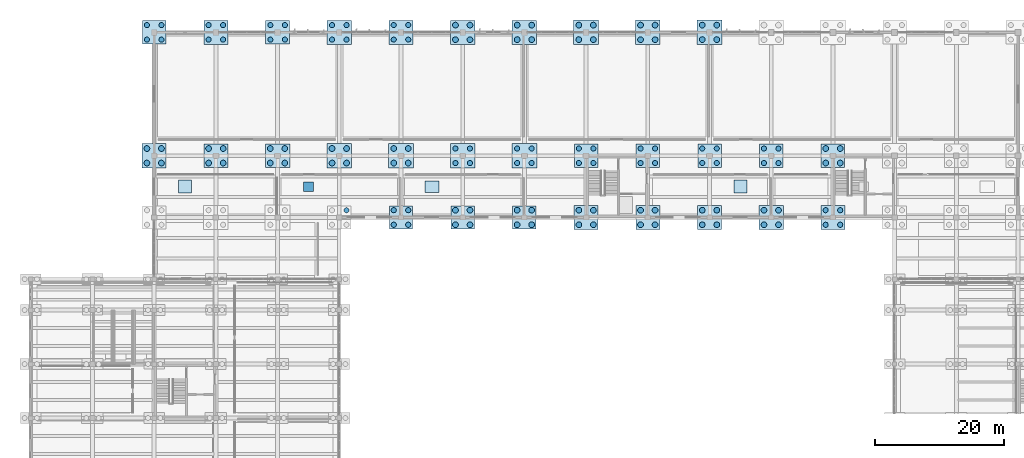
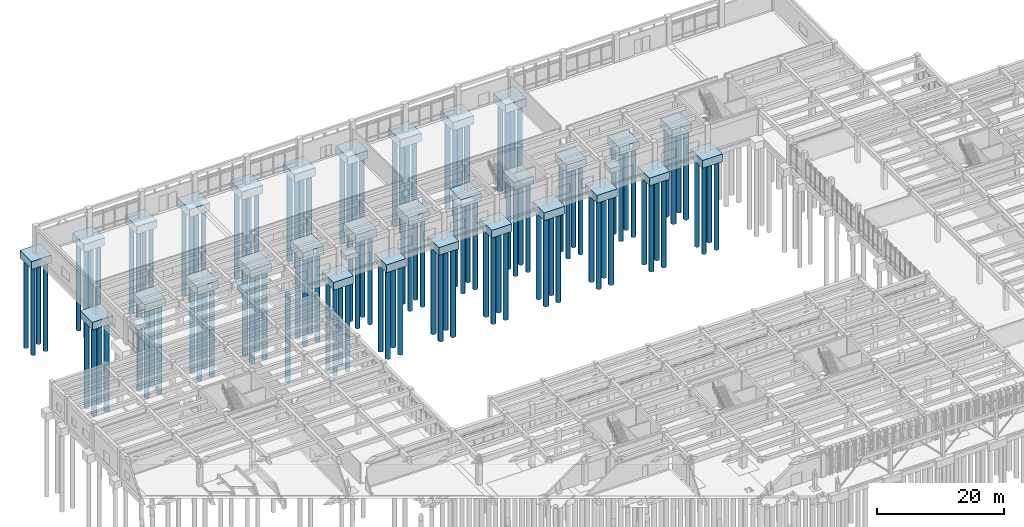
# One storey, part 5 of 102: 121 piles, 34 footings.
"""IFC4 building model written with IfcOpenShell, lengths in metres."""

import ifcopenshell
import ifcopenshell.guid

model = None  # the IFC model being written
_history = None  # IfcOwnerHistory: only IFC2X3 demands one
_inside = {}  # id of a spatial element -> (the spatial element, [elements in it])
_under = {}  # id of a project, library or spatial element -> (it, [spatial elements below it])
_declared = {}  # id of a project -> (the project, [libraries it declares])
_typed = {}  # id of a type object -> (the type object, [elements of that type])
_made_of = {}  # id of a material, layer set ... -> (it, [elements and type objects made of it])


def new_model(schema):
    """Start an empty IFC model of exactly this schema.

    Asked for "IFC4X3", IfcOpenShell would pick the latest addendum, in which some entities
    have other attributes; the version numbers below select the first issue.
    IFC2X3 requires an IfcOwnerHistory on every rooted entity: one is made here for all.
    """
    global model, _history
    if schema == "IFC4X3":
        model = ifcopenshell.file(schema_version=(4, 3, 0, 0))
    else:
        model = ifcopenshell.file(schema=schema)
    _inside.clear()
    _under.clear()
    _declared.clear()
    _typed.clear()
    _made_of.clear()
    _history = None
    if model.schema == "IFC2X3":
        org = make("IfcOrganization", Name="unknown")
        user = make(
            "IfcPersonAndOrganization",
            ThePerson=make("IfcPerson", FamilyName="unknown"),
            TheOrganization=org,
        )
        app = make(
            "IfcApplication",
            ApplicationDeveloper=org,
            Version="unknown",
            ApplicationFullName="unknown",
            ApplicationIdentifier="unknown",
        )
        _history = make(
            "IfcOwnerHistory",
            OwningUser=user,
            OwningApplication=app,
            ChangeAction="ADDED",
            CreationDate=0,
        )
    return model


def make(cls, **values):
    """One entity of the class cls with the attributes given. An attribute that is None is left unset."""
    return model.create_entity(
        cls, **{name: value for name, value in values.items() if value is not None}
    )


def rooted(cls, **values):
    """An entity with a GlobalId (a new one), such as an element, a storey or a relation."""
    return make(cls, GlobalId=ifcopenshell.guid.new(), OwnerHistory=_history, **values)


def si_unit(unit_type, name, prefix=None):
    """IfcSIUnit, for example si_unit("LENGTHUNIT", "METRE", prefix="MILLI")."""
    return make("IfcSIUnit", UnitType=unit_type, Prefix=prefix, Name=name)


def assignment(units):
    """IfcUnitAssignment: the units of a project."""
    return None if units is None else make("IfcUnitAssignment", Units=units)


def point(xyz):
    """IfcCartesianPoint."""
    return None if xyz is None else make("IfcCartesianPoint", Coordinates=xyz)


def direction(xyz):
    """IfcDirection."""
    return None if xyz is None else make("IfcDirection", DirectionRatios=xyz)


def frame(location, z_axis=None, x_axis=None):
    """IfcAxis2Placement3D, a coordinate frame: its origin and axes. An axis left out is left unset."""
    return make(
        "IfcAxis2Placement3D",
        Location=point(location),
        Axis=direction(z_axis),
        RefDirection=direction(x_axis),
    )


def frame_2d(location, x_axis=None):
    """IfcAxis2Placement2D, a coordinate frame in the plane: its origin and x axis."""
    return make(
        "IfcAxis2Placement2D", Location=point(location), RefDirection=direction(x_axis)
    )


def origin():
    """The frame at (0, 0, 0) with its axes left unset."""
    return frame((0.0, 0.0, 0.0))


def origin_2d():
    """The frame at (0, 0) in the plane with its x axis left unset."""
    return frame_2d((0.0, 0.0))


def place(relative_to, where):
    """IfcLocalPlacement: puts the frame where relative to a parent placement (None: the world)."""
    return make(
        "IfcLocalPlacement", PlacementRelTo=relative_to, RelativePlacement=where
    )


def context(
    kind, dimensions, precision=None, world=None, true_north=None, identifier=None
):
    """IfcGeometricRepresentationContext, for example the 3D "Model" context."""
    return make(
        "IfcGeometricRepresentationContext",
        ContextIdentifier=identifier,
        ContextType=kind,
        CoordinateSpaceDimension=dimensions,
        Precision=precision,
        WorldCoordinateSystem=world,
        TrueNorth=true_north,
    )


def subcontext(parent, identifier, kind, view, scale=None):
    """IfcGeometricRepresentationSubContext, for example "Body" below "Model"."""
    return make(
        "IfcGeometricRepresentationSubContext",
        ContextIdentifier=identifier,
        ContextType=kind,
        ParentContext=parent,
        TargetScale=scale,
        TargetView=view,
    )


def project(units=None, contexts=None):
    """IfcProject with its units and contexts."""
    return rooted(
        "IfcProject",
        Name="project",
        RepresentationContexts=contexts,
        UnitsInContext=assignment(units),
    )


def spatial(cls, under=None, at=None, **own):
    """A site, building, storey or space (cls), placed at a placement, below another one or the project."""
    s = rooted(cls, ObjectPlacement=at, **own)
    if under is not None:
        _under.setdefault(under.id(), (under, []))[1].append(s)
    return s


def profile(cls, at=None, kind="AREA", **sizes):
    """A parametric profile (cls). Its sizes go by their IFC names, for example OverallWidth=200.0."""
    return make(cls, ProfileType=kind, Position=at, **sizes)


def rectangle(**sizes):
    """IfcRectangleProfileDef."""
    return profile("IfcRectangleProfileDef", **sizes)


def circle(**sizes):
    """IfcCircleProfileDef."""
    return profile("IfcCircleProfileDef", **sizes)


def extrude(swept, where, along, depth):
    """IfcExtrudedAreaSolid: the profile swept, set in the frame where, extruded along a direction by depth."""
    return make(
        "IfcExtrudedAreaSolid",
        SweptArea=swept,
        Position=where,
        ExtrudedDirection=direction(along),
        Depth=depth,
    )


def shape(context_of_items, identifier, shape_type, items):
    """IfcShapeRepresentation: the items that make up one representation, for example the "Body"."""
    return make(
        "IfcShapeRepresentation",
        ContextOfItems=context_of_items,
        RepresentationIdentifier=identifier,
        RepresentationType=shape_type,
        Items=items,
    )


def material(Name=None, Category=None):
    """IfcMaterial."""
    return make("IfcMaterial", Name=Name, Category=Category)


def material_profile(
    of_material, cross_section, Name=None, Category=None, Priority=None
):
    """IfcMaterialProfile: a cross section and its material."""
    return make(
        "IfcMaterialProfile",
        Name=Name,
        Material=of_material,
        Profile=cross_section,
        Priority=Priority,
        Category=Category,
    )


def profile_set(profiles, Name=None, composite=None):
    """IfcMaterialProfileSet."""
    return make(
        "IfcMaterialProfileSet",
        Name=Name,
        MaterialProfiles=profiles,
        CompositeProfile=composite,
    )


def made_of(thing, what):
    """Note that an element or type object is made of a material, layer set ...; save() writes the relation."""
    if what is not None:
        _made_of.setdefault(what.id(), (what, []))[1].append(thing)
    return thing


def type_object(cls, material=None, **own):
    """A type object (cls), such as IfcWallType, which elements share."""
    return made_of(rooted(cls, **own), material)


def element(
    cls,
    number,
    at=None,
    inside=None,
    cuts=None,
    type_object=None,
    material=None,
    context=None,
    identifier="Body",
    shape_type=None,
    held_by="IfcProductDefinitionShape",
    body=None,
    shapes=None,
    **own,
):
    """One element of the class cls, such as IfcWall. Its Tag is "e" and its number.

    at: its placement. inside: the storey or other place that contains it. cuts: it is an
    opening in that element (IfcRelVoidsElement). A single representation is given by context,
    identifier, shape_type and body (its items); several are given by shapes. held_by: the class
    of the entity that holds the representations. save() writes the other relations.
    """
    e = rooted(cls, Tag="e%d" % number, ObjectPlacement=at, **own)
    if body is not None:
        shapes = [shape(context, identifier, shape_type, body)]
    if shapes is not None:
        e.Representation = make(held_by, Representations=shapes)
    if inside is not None:
        _inside.setdefault(inside.id(), (inside, []))[1].append(e)
    if cuts is not None:
        rooted(
            "IfcRelVoidsElement", RelatingBuildingElement=cuts, RelatedOpeningElement=e
        )
    if type_object is not None:
        _typed.setdefault(type_object.id(), (type_object, []))[1].append(e)
    return made_of(e, material)


def aggregate(whole, parts):
    """IfcRelAggregates: a whole, such as a stair, and the parts it consists of."""
    return rooted("IfcRelAggregates", RelatingObject=whole, RelatedObjects=parts)


def save(model, path):
    """Write the relations noted so far, then the file.

    IfcRelAggregates (storeys below a building ...), IfcRelContainedInSpatialStructure (elements
    in a storey), IfcRelDefinesByType, IfcRelAssociatesMaterial and IfcRelDeclares: one each for
    every whole, place, type object, material and project.
    """
    for whole, parts in _under.values():
        aggregate(whole, parts)
    for where, things in _inside.values():
        rooted(
            "IfcRelContainedInSpatialStructure",
            RelatedElements=things,
            RelatingStructure=where,
        )
    for kind, things in _typed.values():
        rooted("IfcRelDefinesByType", RelatedObjects=things, RelatingType=kind)
    for what, things in _made_of.values():
        rooted("IfcRelAssociatesMaterial", RelatedObjects=things, RelatingMaterial=what)
    for by, libraries in _declared.values():
        rooted("IfcRelDeclares", RelatingContext=by, RelatedDefinitions=libraries)
    model.write(path)


model = new_model("IFC4")

# Units and contexts
model_context = context("Model", 3, precision=1e-05, world=origin(), true_north=direction((0.0, 1.0)))
body_context = subcontext(model_context, "Body", "Model", "MODEL_VIEW")
ifc_project = project(units=[si_unit("LENGTHUNIT", "METRE"), si_unit("AREAUNIT", "SQUARE_METRE"), si_unit("VOLUMEUNIT", "CUBIC_METRE"), si_unit("PLANEANGLEUNIT", "RADIAN"), si_unit("MASSUNIT", "GRAM", prefix="KILO")], contexts=[model_context])

# Site, building, storey
site_placement = place(None, origin())
site = spatial("IfcSite", under=ifc_project, at=site_placement, CompositionType="ELEMENT")
building_placement = place(site_placement, origin())
building = spatial("IfcBuilding", under=site, at=building_placement, Name="Kolvemor Railside Polytechnic", CompositionType="ELEMENT")
storey_placement = place(building_placement, origin())
storey = spatial("IfcBuildingStorey", under=building, at=storey_placement, Name="L00", CompositionType="ELEMENT", Elevation=0.0)

# Footings
ifc_material_1 = material(Name="Concrete C40/50", Category="concrete")
footing_type_1 = type_object("IfcFootingType", Name="FTG-PAD-A", PredefinedType="PAD_FOOTING", material=ifc_material_1)
for number, where, z_axis, x_axis, name in (
    (1, (24.0, 96.0, -1.199951171875), (0.0, 0.0, 1.0), (1.0, 0.0, 0.0), "Machinery Pad Footing PF-01"),
    (2, (110.39990234375, 96.0, -1.199951171875), (0.0, 0.0, 1.0), (1.0, 0.0, 0.0), "Machinery Pad Footing PF-04"),
):
    element("IfcFooting", number, at=place(storey_placement, frame(where, z_axis=z_axis, x_axis=x_axis)), inside=storey, type_object=footing_type_1, Name=name, PredefinedType="PAD_FOOTING", context=body_context, shape_type="SweptSolid", body=[
        extrude(rectangle(XDim=2.0, YDim=2.0, at=origin_2d()), origin(), (0.0, 0.0, 1.0), 0.89990234375),
    ])
ifc_material_2 = material(Name="Concrete C40/50", Category="concrete")
footing_type_2 = type_object("IfcFootingType", Name="FTG-PAD-B", PredefinedType="PAD_FOOTING", material=ifc_material_2)
footing_1_placement = place(storey_placement, frame((43.199951171875, 96.0, -1.150146484375), z_axis=(0.0, 0.0, 1.0), x_axis=(1.0, 0.0, 0.0)))
element("IfcFooting", 3, at=footing_1_placement, inside=storey, type_object=footing_type_2, Name="Machinery Pad Footing PF-02", PredefinedType="PAD_FOOTING", context=body_context, shape_type="SweptSolid", body=[
    extrude(rectangle(XDim=1.5, YDim=1.5, at=origin_2d()), origin(), (0.0, 0.0, 1.0), 0.85009765625),
])
ifc_material_3 = material(Name="Concrete C40/50", Category="concrete")
footing_type_3 = type_object("IfcFootingType", Name="FTG-PAD-C", PredefinedType="PAD_FOOTING", material=ifc_material_3)
footing_2_placement = place(storey_placement, frame((62.39990234375, 96.0, -1.199951171875), z_axis=(0.0, 0.0, 1.0), x_axis=(1.0, 0.0, 0.0)))
element("IfcFooting", 4, at=footing_2_placement, inside=storey, type_object=footing_type_3, Name="Machinery Pad Footing PF-03", PredefinedType="PAD_FOOTING", context=body_context, shape_type="SweptSolid", body=[
    extrude(rectangle(XDim=2.199951171875, YDim=1.800048828125, at=origin_2d()), origin(), (0.0, 0.0, 1.0), 0.89990234375),
])
ifc_material_4 = material(Name="Concrete C40/50", Category="concrete")
footing_type_4 = type_object("IfcFootingType", Name="FTG-PC-4P-A", PredefinedType="PILE_CAP", material=ifc_material_4)
for number, where, z_axis, x_axis, name in (
    (5, (19.199951171875, 100.800048828125, -1.5), (0.0, 0.0, 1.0), (1.0, 0.0, 0.0), "Pile Cap PC-035"),
    (6, (28.800048828125, 120.0, -1.5), (0.0, 0.0, 1.0), (1.0, 0.0, 0.0), "Pile Cap PC-050"),
    (7, (86.39990234375, 91.199951171875, -1.5), (0.0, 0.0, 1.0), (1.0, 0.0, 0.0), "Pile Cap PC-129"),
    (8, (96.0, 91.199951171875, -1.5), (0.0, 0.0, 1.0), (1.0, 0.0, 0.0), "Pile Cap PC-143"),
    (9, (105.60009765625, 91.199951171875, -1.5), (0.0, 0.0, 1.0), (1.0, 0.0, 0.0), "Pile Cap PC-153"),
    (10, (115.199951171875, 91.199951171875, -1.5), (0.0, 0.0, 1.0), (1.0, 0.0, 0.0), "Pile Cap PC-163"),
    (11, (124.800048828125, 91.199951171875, -1.5), (0.0, 0.0, 1.0), (1.0, 0.0, 0.0), "Pile Cap PC-178"),
):
    element("IfcFooting", number, at=place(storey_placement, frame(where, z_axis=z_axis, x_axis=x_axis)), inside=storey, type_object=footing_type_4, Name=name, PredefinedType="PILE_CAP", context=body_context, shape_type="SweptSolid", body=[
        extrude(rectangle(XDim=3.75, YDim=3.75, at=origin_2d()), origin(), (0.0, 0.0, 1.0), 1.5),
    ])
ifc_material_5 = material(Name="Concrete C40/50", Category="concrete")
footing_type_5 = type_object("IfcFootingType", Name="FTG-PC-4P-B", PredefinedType="PILE_CAP", material=ifc_material_5)
for number, where, z_axis, x_axis, name in (
    (12, (19.199951171875, 120.0, -1.5), (0.0, 0.0, 1.0), (1.0, 0.0, 0.0), "Pile Cap PC-036"),
    (13, (57.60009765625, 91.199951171875, -1.5), (0.0, 0.0, 1.0), (1.0, 0.0, 0.0), "Pile Cap PC-086"),
    (14, (67.199951171875, 91.199951171875, -1.5), (0.0, 0.0, 1.0), (1.0, 0.0, 0.0), "Pile Cap PC-101"),
    (15, (76.800048828125, 91.199951171875, -1.5), (0.0, 0.0, 1.0), (1.0, 0.0, 0.0), "Pile Cap PC-115"),
    (16, (86.39990234375, 100.800048828125, -1.5), (0.0, 0.0, 1.0), (1.0, 0.0, 0.0), "Pile Cap PC-130"),
    (17, (96.0, 100.800048828125, -1.5), (0.0, 0.0, 1.0), (1.0, 0.0, 0.0), "Pile Cap PC-144"),
    (18, (105.60009765625, 100.800048828125, -1.5), (0.0, 0.0, 1.0), (1.0, 0.0, 0.0), "Pile Cap PC-154"),
    (19, (115.199951171875, 100.800048828125, -1.5), (0.0, 0.0, 1.0), (1.0, 0.0, 0.0), "Pile Cap PC-164"),
    (20, (124.800048828125, 100.800048828125, -1.5), (0.0, 0.0, 1.0), (1.0, 0.0, 0.0), "Pile Cap PC-179"),
):
    element("IfcFooting", number, at=place(storey_placement, frame(where, z_axis=z_axis, x_axis=x_axis)), inside=storey, type_object=footing_type_5, Name=name, PredefinedType="PILE_CAP", context=body_context, shape_type="SweptSolid", body=[
        extrude(rectangle(XDim=3.64990234375, YDim=3.64990234375, at=origin_2d()), origin(), (0.0, 0.0, 1.0), 1.5),
    ])
ifc_material_6 = material(Name="Concrete C40/50", Category="concrete")
footing_type_6 = type_object("IfcFootingType", Name="FTG-PC-4P-C", PredefinedType="PILE_CAP", material=ifc_material_6)
for number, where, z_axis, x_axis, name in (
    (21, (48.0, 100.800048828125, -1.60009765625), (0.0, 0.0, 1.0), (1.0, 0.0, 0.0), "Pile Cap PC-077"),
    (22, (57.60009765625, 100.800048828125, -1.60009765625), (0.0, 0.0, 1.0), (1.0, 0.0, 0.0), "Pile Cap PC-087"),
    (23, (67.199951171875, 100.800048828125, -1.60009765625), (0.0, 0.0, 1.0), (1.0, 0.0, 0.0), "Pile Cap PC-102"),
    (24, (76.800048828125, 100.800048828125, -1.60009765625), (0.0, 0.0, 1.0), (1.0, 0.0, 0.0), "Pile Cap PC-116"),
    (25, (86.39990234375, 120.0, -1.60009765625), (0.0, 0.0, 1.0), (1.0, 0.0, 0.0), "Pile Cap PC-131"),
    (26, (96.0, 120.0, -1.60009765625), (0.0, 0.0, 1.0), (1.0, 0.0, 0.0), "Pile Cap PC-145"),
    (27, (105.60009765625, 120.0, -1.60009765625), (0.0, 0.0, 1.0), (1.0, 0.0, 0.0), "Pile Cap PC-155"),
):
    element("IfcFooting", number, at=place(storey_placement, frame(where, z_axis=z_axis, x_axis=x_axis)), inside=storey, type_object=footing_type_6, Name=name, PredefinedType="PILE_CAP", context=body_context, shape_type="SweptSolid", body=[
        extrude(rectangle(XDim=3.85009765625, YDim=3.85009765625, at=origin_2d()), origin(), (0.0, 0.0, 1.0), 1.60009765625),
    ])
ifc_material_7 = material(Name="Concrete C40/50", Category="concrete")
footing_type_7 = type_object("IfcFootingType", Name="FTG-PC-4P-D", PredefinedType="PILE_CAP", material=ifc_material_7)
for number, where, z_axis, x_axis, name in (
    (28, (38.39990234375, 100.800048828125, -1.5498046875), (0.0, 0.0, 1.0), (1.0, 0.0, 0.0), "Pile Cap PC-063"),
    (29, (48.0, 120.0, -1.5498046875), (0.0, 0.0, 1.0), (1.0, 0.0, 0.0), "Pile Cap PC-078"),
    (30, (57.60009765625, 120.0, -1.5498046875), (0.0, 0.0, 1.0), (1.0, 0.0, 0.0), "Pile Cap PC-088"),
    (31, (67.199951171875, 120.0, -1.5498046875), (0.0, 0.0, 1.0), (1.0, 0.0, 0.0), "Pile Cap PC-103"),
    (32, (76.800048828125, 120.0, -1.5498046875), (0.0, 0.0, 1.0), (1.0, 0.0, 0.0), "Pile Cap PC-117"),
):
    element("IfcFooting", number, at=place(storey_placement, frame(where, z_axis=z_axis, x_axis=x_axis)), inside=storey, type_object=footing_type_7, Name=name, PredefinedType="PILE_CAP", context=body_context, shape_type="SweptSolid", body=[
        extrude(rectangle(XDim=3.800048828125, YDim=3.699951171875, at=origin_2d()), origin(), (0.0, 0.0, 1.0), 1.550048828125),
    ])
ifc_material_8 = material(Name="Concrete C40/50", Category="concrete")
footing_type_8 = type_object("IfcFootingType", Name="FTG-PC-4P-E", PredefinedType="PILE_CAP", material=ifc_material_8)
for number, where, z_axis, x_axis, name in (
    (33, (28.800048828125, 100.800048828125, -1.4501953125), (0.0, 0.0, 1.0), (1.0, 0.0, 0.0), "Pile Cap PC-049"),
    (34, (38.39990234375, 120.0, -1.4501953125), (0.0, 0.0, 1.0), (1.0, 0.0, 0.0), "Pile Cap PC-064"),
):
    element("IfcFooting", number, at=place(storey_placement, frame(where, z_axis=z_axis, x_axis=x_axis)), inside=storey, type_object=footing_type_8, Name=name, PredefinedType="PILE_CAP", context=body_context, shape_type="SweptSolid", body=[
        extrude(rectangle(XDim=3.699951171875, YDim=3.64990234375, at=origin_2d()), origin(), (0.0, 0.0, 1.0), 1.449951171875),
    ])

# Piles
ifc_material_9 = material(Name="Concrete C40/50", Category="concrete")
ifc_material_profile_1 = material_profile(ifc_material_9, circle(Radius=0.39990234375, at=origin_2d()), Name="BP800")
ifc_profile_set_1 = profile_set([ifc_material_profile_1], Name="Concrete C40/50")
pile_type_1 = type_object("IfcPileType", Name="PIL-BP800", PredefinedType="BORED", material=ifc_profile_set_1)
for number, where, z_axis, x_axis, name in (
    (35, (18.070068359375, 118.8701171875, -1.3798828125), (0.0, 0.0, -1.0), (1.0, 0.0, 0.0), "Bored Pile PIL-BP800-036-1"),
    (36, (18.070068359375, 121.1298828125, -1.3798828125), (0.0, 0.0, -1.0), (1.0, 0.0, 0.0), "Bored Pile PIL-BP800-036-2"),
    (37, (20.330078125, 118.8701171875, -1.3798828125), (0.0, 0.0, -1.0), (1.0, 0.0, 0.0), "Bored Pile PIL-BP800-036-3"),
    (38, (20.330078125, 121.1298828125, -1.3798828125), (0.0, 0.0, -1.0), (1.0, 0.0, 0.0), "Bored Pile PIL-BP800-036-4"),
    (39, (27.669921875, 118.8701171875, -1.3798828125), (0.0, 0.0, -1.0), (1.0, 0.0, 0.0), "Bored Pile PIL-BP800-050-1"),
    (40, (27.669921875, 121.1298828125, -1.3798828125), (0.0, 0.0, -1.0), (1.0, 0.0, 0.0), "Bored Pile PIL-BP800-050-2"),
    (41, (29.929931640625, 118.8701171875, -1.3798828125), (0.0, 0.0, -1.0), (1.0, 0.0, 0.0), "Bored Pile PIL-BP800-050-3"),
    (42, (29.929931640625, 121.1298828125, -1.3798828125), (0.0, 0.0, -1.0), (1.0, 0.0, 0.0), "Bored Pile PIL-BP800-050-4"),
):
    element("IfcPile", number, at=place(storey_placement, frame(where, z_axis=z_axis, x_axis=x_axis)), inside=storey, type_object=pile_type_1, Name=name, PredefinedType="BORED", context=body_context, shape_type="SweptSolid", body=[
        extrude(circle(Radius=0.39990234375, at=origin_2d()), origin(), (0.0, 0.0, 1.0), 17.1201171875),
    ])
for number, where, z_axis, x_axis, name in (
    (43, (37.27001953125, 118.8701171875, -1.330078125), (0.0, 0.0, -1.0), (1.0, 0.0, 0.0), "Bored Pile PIL-BP800-064-1"),
    (44, (37.27001953125, 121.1298828125, -1.330078125), (0.0, 0.0, -1.0), (1.0, 0.0, 0.0), "Bored Pile PIL-BP800-064-2"),
    (45, (39.530029296875, 118.8701171875, -1.330078125), (0.0, 0.0, -1.0), (1.0, 0.0, 0.0), "Bored Pile PIL-BP800-064-3"),
    (46, (39.530029296875, 121.1298828125, -1.330078125), (0.0, 0.0, -1.0), (1.0, 0.0, 0.0), "Bored Pile PIL-BP800-064-4"),
):
    element("IfcPile", number, at=place(storey_placement, frame(where, z_axis=z_axis, x_axis=x_axis)), inside=storey, type_object=pile_type_1, Name=name, PredefinedType="BORED", context=body_context, shape_type="SweptSolid", body=[
        extrude(circle(Radius=0.39990234375, at=origin_2d()), origin(), (0.0, 0.0, 1.0), 17.169921875),
    ])
pile_placement = place(storey_placement, frame((49.1298828125, 92.330078125, -1.3798828125), z_axis=(0.0, 0.0, -1.0), x_axis=(1.0, 0.0, 0.0)))
element("IfcPile", 47, at=pile_placement, inside=storey, type_object=pile_type_1, Name="Bored Pile PIL-BP800-076-4", PredefinedType="BORED", context=body_context, shape_type="SweptSolid", body=[
    extrude(circle(Radius=0.39990234375, at=origin_2d()), origin(), (0.0, 0.0, 1.0), 17.1201171875),
])
for number, where, z_axis, x_axis, name in (
    (48, (46.8701171875, 118.8701171875, -1.429931640625), (0.0, 0.0, -1.0), (1.0, 0.0, 0.0), "Bored Pile PIL-BP800-078-1"),
    (49, (46.8701171875, 121.1298828125, -1.429931640625), (0.0, 0.0, -1.0), (1.0, 0.0, 0.0), "Bored Pile PIL-BP800-078-2"),
    (50, (49.1298828125, 118.8701171875, -1.429931640625), (0.0, 0.0, -1.0), (1.0, 0.0, 0.0), "Bored Pile PIL-BP800-078-3"),
    (51, (49.1298828125, 121.1298828125, -1.429931640625), (0.0, 0.0, -1.0), (1.0, 0.0, 0.0), "Bored Pile PIL-BP800-078-4"),
):
    element("IfcPile", number, at=place(storey_placement, frame(where, z_axis=z_axis, x_axis=x_axis)), inside=storey, type_object=pile_type_1, Name=name, PredefinedType="BORED", context=body_context, shape_type="SweptSolid", body=[
        extrude(circle(Radius=0.39990234375, at=origin_2d()), origin(), (0.0, 0.0, 1.0), 17.070068359375),
    ])
for number, where, z_axis, x_axis, name in (
    (52, (56.469970703125, 90.070068359375, -1.3798828125), (0.0, 0.0, -1.0), (1.0, 0.0, 0.0), "Bored Pile PIL-BP800-086-1"),
    (53, (56.469970703125, 92.330078125, -1.3798828125), (0.0, 0.0, -1.0), (1.0, 0.0, 0.0), "Bored Pile PIL-BP800-086-2"),
    (54, (58.72998046875, 90.070068359375, -1.3798828125), (0.0, 0.0, -1.0), (1.0, 0.0, 0.0), "Bored Pile PIL-BP800-086-3"),
    (55, (58.72998046875, 92.330078125, -1.3798828125), (0.0, 0.0, -1.0), (1.0, 0.0, 0.0), "Bored Pile PIL-BP800-086-4"),
):
    element("IfcPile", number, at=place(storey_placement, frame(where, z_axis=z_axis, x_axis=x_axis)), inside=storey, type_object=pile_type_1, Name=name, PredefinedType="BORED", context=body_context, shape_type="SweptSolid", body=[
        extrude(circle(Radius=0.39990234375, at=origin_2d()), origin(), (0.0, 0.0, 1.0), 17.1201171875),
    ])
for number, where, z_axis, x_axis, name in (
    (56, (56.469970703125, 118.8701171875, -1.429931640625), (0.0, 0.0, -1.0), (1.0, 0.0, 0.0), "Bored Pile PIL-BP800-088-1"),
    (57, (56.469970703125, 121.1298828125, -1.429931640625), (0.0, 0.0, -1.0), (1.0, 0.0, 0.0), "Bored Pile PIL-BP800-088-2"),
    (58, (58.72998046875, 118.8701171875, -1.429931640625), (0.0, 0.0, -1.0), (1.0, 0.0, 0.0), "Bored Pile PIL-BP800-088-3"),
    (59, (58.72998046875, 121.1298828125, -1.429931640625), (0.0, 0.0, -1.0), (1.0, 0.0, 0.0), "Bored Pile PIL-BP800-088-4"),
):
    element("IfcPile", number, at=place(storey_placement, frame(where, z_axis=z_axis, x_axis=x_axis)), inside=storey, type_object=pile_type_1, Name=name, PredefinedType="BORED", context=body_context, shape_type="SweptSolid", body=[
        extrude(circle(Radius=0.39990234375, at=origin_2d()), origin(), (0.0, 0.0, 1.0), 17.070068359375),
    ])
for number, where, z_axis, x_axis, name in (
    (60, (66.070068359375, 99.669921875, -1.47998046875), (0.0, 0.0, -1.0), (1.0, 0.0, 0.0), "Bored Pile PIL-BP800-102-1"),
    (61, (66.070068359375, 101.929931640625, -1.47998046875), (0.0, 0.0, -1.0), (1.0, 0.0, 0.0), "Bored Pile PIL-BP800-102-2"),
    (62, (68.330078125, 99.669921875, -1.47998046875), (0.0, 0.0, -1.0), (1.0, 0.0, 0.0), "Bored Pile PIL-BP800-102-3"),
    (63, (68.330078125, 101.929931640625, -1.47998046875), (0.0, 0.0, -1.0), (1.0, 0.0, 0.0), "Bored Pile PIL-BP800-102-4"),
    (64, (75.669921875, 99.669921875, -1.47998046875), (0.0, 0.0, -1.0), (1.0, 0.0, 0.0), "Bored Pile PIL-BP800-116-1"),
    (65, (75.669921875, 101.929931640625, -1.47998046875), (0.0, 0.0, -1.0), (1.0, 0.0, 0.0), "Bored Pile PIL-BP800-116-2"),
    (66, (77.929931640625, 99.669921875, -1.47998046875), (0.0, 0.0, -1.0), (1.0, 0.0, 0.0), "Bored Pile PIL-BP800-116-3"),
    (67, (77.929931640625, 101.929931640625, -1.47998046875), (0.0, 0.0, -1.0), (1.0, 0.0, 0.0), "Bored Pile PIL-BP800-116-4"),
):
    element("IfcPile", number, at=place(storey_placement, frame(where, z_axis=z_axis, x_axis=x_axis)), inside=storey, type_object=pile_type_1, Name=name, PredefinedType="BORED", context=body_context, shape_type="SweptSolid", body=[
        extrude(circle(Radius=0.39990234375, at=origin_2d()), origin(), (0.0, 0.0, 1.0), 17.02001953125),
    ])
for number, where, z_axis, x_axis, name in (
    (68, (85.27001953125, 99.669921875, -1.3798828125), (0.0, 0.0, -1.0), (1.0, 0.0, 0.0), "Bored Pile PIL-BP800-130-1"),
    (69, (85.27001953125, 101.929931640625, -1.3798828125), (0.0, 0.0, -1.0), (1.0, 0.0, 0.0), "Bored Pile PIL-BP800-130-2"),
    (70, (87.530029296875, 99.669921875, -1.3798828125), (0.0, 0.0, -1.0), (1.0, 0.0, 0.0), "Bored Pile PIL-BP800-130-3"),
    (71, (87.530029296875, 101.929931640625, -1.3798828125), (0.0, 0.0, -1.0), (1.0, 0.0, 0.0), "Bored Pile PIL-BP800-130-4"),
    (72, (94.8701171875, 99.669921875, -1.3798828125), (0.0, 0.0, -1.0), (1.0, 0.0, 0.0), "Bored Pile PIL-BP800-144-1"),
    (73, (94.8701171875, 101.929931640625, -1.3798828125), (0.0, 0.0, -1.0), (1.0, 0.0, 0.0), "Bored Pile PIL-BP800-144-2"),
    (74, (97.1298828125, 99.669921875, -1.3798828125), (0.0, 0.0, -1.0), (1.0, 0.0, 0.0), "Bored Pile PIL-BP800-144-3"),
    (75, (97.1298828125, 101.929931640625, -1.3798828125), (0.0, 0.0, -1.0), (1.0, 0.0, 0.0), "Bored Pile PIL-BP800-144-4"),
    (76, (104.469970703125, 99.669921875, -1.3798828125), (0.0, 0.0, -1.0), (1.0, 0.0, 0.0), "Bored Pile PIL-BP800-154-1"),
    (77, (104.469970703125, 101.929931640625, -1.3798828125), (0.0, 0.0, -1.0), (1.0, 0.0, 0.0), "Bored Pile PIL-BP800-154-2"),
    (78, (106.72998046875, 99.669921875, -1.3798828125), (0.0, 0.0, -1.0), (1.0, 0.0, 0.0), "Bored Pile PIL-BP800-154-3"),
    (79, (106.72998046875, 101.929931640625, -1.3798828125), (0.0, 0.0, -1.0), (1.0, 0.0, 0.0), "Bored Pile PIL-BP800-154-4"),
    (80, (114.070068359375, 99.669921875, -1.3798828125), (0.0, 0.0, -1.0), (1.0, 0.0, 0.0), "Bored Pile PIL-BP800-164-1"),
    (81, (114.070068359375, 101.929931640625, -1.3798828125), (0.0, 0.0, -1.0), (1.0, 0.0, 0.0), "Bored Pile PIL-BP800-164-2"),
    (82, (116.330078125, 99.669921875, -1.3798828125), (0.0, 0.0, -1.0), (1.0, 0.0, 0.0), "Bored Pile PIL-BP800-164-3"),
    (83, (116.330078125, 101.929931640625, -1.3798828125), (0.0, 0.0, -1.0), (1.0, 0.0, 0.0), "Bored Pile PIL-BP800-164-4"),
    (84, (123.669921875, 90.070068359375, -1.3798828125), (0.0, 0.0, -1.0), (1.0, 0.0, 0.0), "Bored Pile PIL-BP800-178-1"),
    (85, (123.669921875, 92.330078125, -1.3798828125), (0.0, 0.0, -1.0), (1.0, 0.0, 0.0), "Bored Pile PIL-BP800-178-2"),
    (86, (125.929931640625, 90.070068359375, -1.3798828125), (0.0, 0.0, -1.0), (1.0, 0.0, 0.0), "Bored Pile PIL-BP800-178-3"),
    (87, (125.929931640625, 92.330078125, -1.3798828125), (0.0, 0.0, -1.0), (1.0, 0.0, 0.0), "Bored Pile PIL-BP800-178-4"),
):
    element("IfcPile", number, at=place(storey_placement, frame(where, z_axis=z_axis, x_axis=x_axis)), inside=storey, type_object=pile_type_1, Name=name, PredefinedType="BORED", context=body_context, shape_type="SweptSolid", body=[
        extrude(circle(Radius=0.39990234375, at=origin_2d()), origin(), (0.0, 0.0, 1.0), 17.1201171875),
    ])
ifc_material_10 = material(Name="Concrete C40/50", Category="concrete")
ifc_material_profile_2 = material_profile(ifc_material_10, circle(Radius=0.449951171875, at=origin_2d()), Name="BP900")
ifc_profile_set_2 = profile_set([ifc_material_profile_2], Name="Concrete C40/50")
pile_type_2 = type_object("IfcPileType", Name="PIL-BP900", PredefinedType="BORED", material=ifc_profile_set_2)
for number, where, z_axis, x_axis, name in (
    (88, (18.070068359375, 99.669921875, -1.3798828125), (0.0, 0.0, -1.0), (1.0, 0.0, 0.0), "Bored Pile PIL-BP900-035-1"),
    (89, (18.070068359375, 101.929931640625, -1.3798828125), (0.0, 0.0, -1.0), (1.0, 0.0, 0.0), "Bored Pile PIL-BP900-035-2"),
    (90, (20.330078125, 99.669921875, -1.3798828125), (0.0, 0.0, -1.0), (1.0, 0.0, 0.0), "Bored Pile PIL-BP900-035-3"),
    (91, (20.330078125, 101.929931640625, -1.3798828125), (0.0, 0.0, -1.0), (1.0, 0.0, 0.0), "Bored Pile PIL-BP900-035-4"),
):
    element("IfcPile", number, at=place(storey_placement, frame(where, z_axis=z_axis, x_axis=x_axis)), inside=storey, type_object=pile_type_2, Name=name, PredefinedType="BORED", context=body_context, shape_type="SweptSolid", body=[
        extrude(circle(Radius=0.449951171875, at=origin_2d()), origin(), (0.0, 0.0, 1.0), 17.1201171875),
    ])
for number, where, z_axis, x_axis, name in (
    (92, (27.669921875, 99.669921875, -1.330078125), (0.0, 0.0, -1.0), (1.0, 0.0, 0.0), "Bored Pile PIL-BP900-049-1"),
    (93, (27.669921875, 101.929931640625, -1.330078125), (0.0, 0.0, -1.0), (1.0, 0.0, 0.0), "Bored Pile PIL-BP900-049-2"),
    (94, (29.929931640625, 99.669921875, -1.330078125), (0.0, 0.0, -1.0), (1.0, 0.0, 0.0), "Bored Pile PIL-BP900-049-3"),
    (95, (29.929931640625, 101.929931640625, -1.330078125), (0.0, 0.0, -1.0), (1.0, 0.0, 0.0), "Bored Pile PIL-BP900-049-4"),
):
    element("IfcPile", number, at=place(storey_placement, frame(where, z_axis=z_axis, x_axis=x_axis)), inside=storey, type_object=pile_type_2, Name=name, PredefinedType="BORED", context=body_context, shape_type="SweptSolid", body=[
        extrude(circle(Radius=0.449951171875, at=origin_2d()), origin(), (0.0, 0.0, 1.0), 17.169921875),
    ])
for number, where, z_axis, x_axis, name in (
    (96, (37.27001953125, 99.669921875, -1.429931640625), (0.0, 0.0, -1.0), (1.0, 0.0, 0.0), "Bored Pile PIL-BP900-063-1"),
    (97, (37.27001953125, 101.929931640625, -1.429931640625), (0.0, 0.0, -1.0), (1.0, 0.0, 0.0), "Bored Pile PIL-BP900-063-2"),
    (98, (39.530029296875, 99.669921875, -1.429931640625), (0.0, 0.0, -1.0), (1.0, 0.0, 0.0), "Bored Pile PIL-BP900-063-3"),
    (99, (39.530029296875, 101.929931640625, -1.429931640625), (0.0, 0.0, -1.0), (1.0, 0.0, 0.0), "Bored Pile PIL-BP900-063-4"),
):
    element("IfcPile", number, at=place(storey_placement, frame(where, z_axis=z_axis, x_axis=x_axis)), inside=storey, type_object=pile_type_2, Name=name, PredefinedType="BORED", context=body_context, shape_type="SweptSolid", body=[
        extrude(circle(Radius=0.449951171875, at=origin_2d()), origin(), (0.0, 0.0, 1.0), 17.070068359375),
    ])
for number, where, z_axis, x_axis, name in (
    (100, (46.8701171875, 99.669921875, -1.47998046875), (0.0, 0.0, -1.0), (1.0, 0.0, 0.0), "Bored Pile PIL-BP900-077-1"),
    (101, (46.8701171875, 101.929931640625, -1.47998046875), (0.0, 0.0, -1.0), (1.0, 0.0, 0.0), "Bored Pile PIL-BP900-077-2"),
    (102, (49.1298828125, 99.669921875, -1.47998046875), (0.0, 0.0, -1.0), (1.0, 0.0, 0.0), "Bored Pile PIL-BP900-077-3"),
    (103, (49.1298828125, 101.929931640625, -1.47998046875), (0.0, 0.0, -1.0), (1.0, 0.0, 0.0), "Bored Pile PIL-BP900-077-4"),
    (104, (56.469970703125, 99.669921875, -1.47998046875), (0.0, 0.0, -1.0), (1.0, 0.0, 0.0), "Bored Pile PIL-BP900-087-1"),
    (105, (56.469970703125, 101.929931640625, -1.47998046875), (0.0, 0.0, -1.0), (1.0, 0.0, 0.0), "Bored Pile PIL-BP900-087-2"),
    (106, (58.72998046875, 99.669921875, -1.47998046875), (0.0, 0.0, -1.0), (1.0, 0.0, 0.0), "Bored Pile PIL-BP900-087-3"),
    (107, (58.72998046875, 101.929931640625, -1.47998046875), (0.0, 0.0, -1.0), (1.0, 0.0, 0.0), "Bored Pile PIL-BP900-087-4"),
):
    element("IfcPile", number, at=place(storey_placement, frame(where, z_axis=z_axis, x_axis=x_axis)), inside=storey, type_object=pile_type_2, Name=name, PredefinedType="BORED", context=body_context, shape_type="SweptSolid", body=[
        extrude(circle(Radius=0.449951171875, at=origin_2d()), origin(), (0.0, 0.0, 1.0), 17.02001953125),
    ])
for number, where, z_axis, x_axis, name in (
    (108, (66.070068359375, 90.070068359375, -1.3798828125), (0.0, 0.0, -1.0), (1.0, 0.0, 0.0), "Bored Pile PIL-BP900-101-1"),
    (109, (66.070068359375, 92.330078125, -1.3798828125), (0.0, 0.0, -1.0), (1.0, 0.0, 0.0), "Bored Pile PIL-BP900-101-2"),
    (110, (68.330078125, 90.070068359375, -1.3798828125), (0.0, 0.0, -1.0), (1.0, 0.0, 0.0), "Bored Pile PIL-BP900-101-3"),
    (111, (68.330078125, 92.330078125, -1.3798828125), (0.0, 0.0, -1.0), (1.0, 0.0, 0.0), "Bored Pile PIL-BP900-101-4"),
):
    element("IfcPile", number, at=place(storey_placement, frame(where, z_axis=z_axis, x_axis=x_axis)), inside=storey, type_object=pile_type_2, Name=name, PredefinedType="BORED", context=body_context, shape_type="SweptSolid", body=[
        extrude(circle(Radius=0.449951171875, at=origin_2d()), origin(), (0.0, 0.0, 1.0), 17.1201171875),
    ])
for number, where, z_axis, x_axis, name in (
    (112, (66.070068359375, 118.8701171875, -1.429931640625), (0.0, 0.0, -1.0), (1.0, 0.0, 0.0), "Bored Pile PIL-BP900-103-1"),
    (113, (66.070068359375, 121.1298828125, -1.429931640625), (0.0, 0.0, -1.0), (1.0, 0.0, 0.0), "Bored Pile PIL-BP900-103-2"),
    (114, (68.330078125, 118.8701171875, -1.429931640625), (0.0, 0.0, -1.0), (1.0, 0.0, 0.0), "Bored Pile PIL-BP900-103-3"),
    (115, (68.330078125, 121.1298828125, -1.429931640625), (0.0, 0.0, -1.0), (1.0, 0.0, 0.0), "Bored Pile PIL-BP900-103-4"),
):
    element("IfcPile", number, at=place(storey_placement, frame(where, z_axis=z_axis, x_axis=x_axis)), inside=storey, type_object=pile_type_2, Name=name, PredefinedType="BORED", context=body_context, shape_type="SweptSolid", body=[
        extrude(circle(Radius=0.449951171875, at=origin_2d()), origin(), (0.0, 0.0, 1.0), 17.070068359375),
    ])
for number, where, z_axis, x_axis, name in (
    (116, (75.669921875, 90.070068359375, -1.3798828125), (0.0, 0.0, -1.0), (1.0, 0.0, 0.0), "Bored Pile PIL-BP900-115-1"),
    (117, (75.669921875, 92.330078125, -1.3798828125), (0.0, 0.0, -1.0), (1.0, 0.0, 0.0), "Bored Pile PIL-BP900-115-2"),
    (118, (77.929931640625, 90.070068359375, -1.3798828125), (0.0, 0.0, -1.0), (1.0, 0.0, 0.0), "Bored Pile PIL-BP900-115-3"),
    (119, (77.929931640625, 92.330078125, -1.3798828125), (0.0, 0.0, -1.0), (1.0, 0.0, 0.0), "Bored Pile PIL-BP900-115-4"),
):
    element("IfcPile", number, at=place(storey_placement, frame(where, z_axis=z_axis, x_axis=x_axis)), inside=storey, type_object=pile_type_2, Name=name, PredefinedType="BORED", context=body_context, shape_type="SweptSolid", body=[
        extrude(circle(Radius=0.449951171875, at=origin_2d()), origin(), (0.0, 0.0, 1.0), 17.1201171875),
    ])
for number, where, z_axis, x_axis, name in (
    (120, (75.669921875, 118.8701171875, -1.429931640625), (0.0, 0.0, -1.0), (1.0, 0.0, 0.0), "Bored Pile PIL-BP900-117-1"),
    (121, (75.669921875, 121.1298828125, -1.429931640625), (0.0, 0.0, -1.0), (1.0, 0.0, 0.0), "Bored Pile PIL-BP900-117-2"),
    (122, (77.929931640625, 118.8701171875, -1.429931640625), (0.0, 0.0, -1.0), (1.0, 0.0, 0.0), "Bored Pile PIL-BP900-117-3"),
    (123, (77.929931640625, 121.1298828125, -1.429931640625), (0.0, 0.0, -1.0), (1.0, 0.0, 0.0), "Bored Pile PIL-BP900-117-4"),
):
    element("IfcPile", number, at=place(storey_placement, frame(where, z_axis=z_axis, x_axis=x_axis)), inside=storey, type_object=pile_type_2, Name=name, PredefinedType="BORED", context=body_context, shape_type="SweptSolid", body=[
        extrude(circle(Radius=0.449951171875, at=origin_2d()), origin(), (0.0, 0.0, 1.0), 17.070068359375),
    ])
for number, where, z_axis, x_axis, name in (
    (124, (85.27001953125, 90.070068359375, -1.3798828125), (0.0, 0.0, -1.0), (1.0, 0.0, 0.0), "Bored Pile PIL-BP900-129-1"),
    (125, (85.27001953125, 92.330078125, -1.3798828125), (0.0, 0.0, -1.0), (1.0, 0.0, 0.0), "Bored Pile PIL-BP900-129-2"),
    (126, (87.530029296875, 90.070068359375, -1.3798828125), (0.0, 0.0, -1.0), (1.0, 0.0, 0.0), "Bored Pile PIL-BP900-129-3"),
    (127, (87.530029296875, 92.330078125, -1.3798828125), (0.0, 0.0, -1.0), (1.0, 0.0, 0.0), "Bored Pile PIL-BP900-129-4"),
):
    element("IfcPile", number, at=place(storey_placement, frame(where, z_axis=z_axis, x_axis=x_axis)), inside=storey, type_object=pile_type_2, Name=name, PredefinedType="BORED", context=body_context, shape_type="SweptSolid", body=[
        extrude(circle(Radius=0.449951171875, at=origin_2d()), origin(), (0.0, 0.0, 1.0), 17.1201171875),
    ])
for number, where, z_axis, x_axis, name in (
    (128, (85.27001953125, 118.8701171875, -1.47998046875), (0.0, 0.0, -1.0), (1.0, 0.0, 0.0), "Bored Pile PIL-BP900-131-1"),
    (129, (85.27001953125, 121.1298828125, -1.47998046875), (0.0, 0.0, -1.0), (1.0, 0.0, 0.0), "Bored Pile PIL-BP900-131-2"),
    (130, (87.530029296875, 118.8701171875, -1.47998046875), (0.0, 0.0, -1.0), (1.0, 0.0, 0.0), "Bored Pile PIL-BP900-131-3"),
    (131, (87.530029296875, 121.1298828125, -1.47998046875), (0.0, 0.0, -1.0), (1.0, 0.0, 0.0), "Bored Pile PIL-BP900-131-4"),
):
    element("IfcPile", number, at=place(storey_placement, frame(where, z_axis=z_axis, x_axis=x_axis)), inside=storey, type_object=pile_type_2, Name=name, PredefinedType="BORED", context=body_context, shape_type="SweptSolid", body=[
        extrude(circle(Radius=0.449951171875, at=origin_2d()), origin(), (0.0, 0.0, 1.0), 17.02001953125),
    ])
for number, where, z_axis, x_axis, name in (
    (132, (94.8701171875, 90.070068359375, -1.3798828125), (0.0, 0.0, -1.0), (1.0, 0.0, 0.0), "Bored Pile PIL-BP900-143-1"),
    (133, (94.8701171875, 92.330078125, -1.3798828125), (0.0, 0.0, -1.0), (1.0, 0.0, 0.0), "Bored Pile PIL-BP900-143-2"),
    (134, (97.1298828125, 90.070068359375, -1.3798828125), (0.0, 0.0, -1.0), (1.0, 0.0, 0.0), "Bored Pile PIL-BP900-143-3"),
    (135, (97.1298828125, 92.330078125, -1.3798828125), (0.0, 0.0, -1.0), (1.0, 0.0, 0.0), "Bored Pile PIL-BP900-143-4"),
):
    element("IfcPile", number, at=place(storey_placement, frame(where, z_axis=z_axis, x_axis=x_axis)), inside=storey, type_object=pile_type_2, Name=name, PredefinedType="BORED", context=body_context, shape_type="SweptSolid", body=[
        extrude(circle(Radius=0.449951171875, at=origin_2d()), origin(), (0.0, 0.0, 1.0), 17.1201171875),
    ])
for number, where, z_axis, x_axis, name in (
    (136, (94.8701171875, 118.8701171875, -1.47998046875), (0.0, 0.0, -1.0), (1.0, 0.0, 0.0), "Bored Pile PIL-BP900-145-1"),
    (137, (94.8701171875, 121.1298828125, -1.47998046875), (0.0, 0.0, -1.0), (1.0, 0.0, 0.0), "Bored Pile PIL-BP900-145-2"),
    (138, (97.1298828125, 118.8701171875, -1.47998046875), (0.0, 0.0, -1.0), (1.0, 0.0, 0.0), "Bored Pile PIL-BP900-145-3"),
    (139, (97.1298828125, 121.1298828125, -1.47998046875), (0.0, 0.0, -1.0), (1.0, 0.0, 0.0), "Bored Pile PIL-BP900-145-4"),
):
    element("IfcPile", number, at=place(storey_placement, frame(where, z_axis=z_axis, x_axis=x_axis)), inside=storey, type_object=pile_type_2, Name=name, PredefinedType="BORED", context=body_context, shape_type="SweptSolid", body=[
        extrude(circle(Radius=0.449951171875, at=origin_2d()), origin(), (0.0, 0.0, 1.0), 17.02001953125),
    ])
for number, where, z_axis, x_axis, name in (
    (140, (104.469970703125, 90.070068359375, -1.3798828125), (0.0, 0.0, -1.0), (1.0, 0.0, 0.0), "Bored Pile PIL-BP900-153-1"),
    (141, (104.469970703125, 92.330078125, -1.3798828125), (0.0, 0.0, -1.0), (1.0, 0.0, 0.0), "Bored Pile PIL-BP900-153-2"),
    (142, (106.72998046875, 90.070068359375, -1.3798828125), (0.0, 0.0, -1.0), (1.0, 0.0, 0.0), "Bored Pile PIL-BP900-153-3"),
    (143, (106.72998046875, 92.330078125, -1.3798828125), (0.0, 0.0, -1.0), (1.0, 0.0, 0.0), "Bored Pile PIL-BP900-153-4"),
):
    element("IfcPile", number, at=place(storey_placement, frame(where, z_axis=z_axis, x_axis=x_axis)), inside=storey, type_object=pile_type_2, Name=name, PredefinedType="BORED", context=body_context, shape_type="SweptSolid", body=[
        extrude(circle(Radius=0.449951171875, at=origin_2d()), origin(), (0.0, 0.0, 1.0), 17.1201171875),
    ])
for number, where, z_axis, x_axis, name in (
    (144, (104.469970703125, 118.8701171875, -1.47998046875), (0.0, 0.0, -1.0), (1.0, 0.0, 0.0), "Bored Pile PIL-BP900-155-1"),
    (145, (104.469970703125, 121.1298828125, -1.47998046875), (0.0, 0.0, -1.0), (1.0, 0.0, 0.0), "Bored Pile PIL-BP900-155-2"),
    (146, (106.72998046875, 118.8701171875, -1.47998046875), (0.0, 0.0, -1.0), (1.0, 0.0, 0.0), "Bored Pile PIL-BP900-155-3"),
    (147, (106.72998046875, 121.1298828125, -1.47998046875), (0.0, 0.0, -1.0), (1.0, 0.0, 0.0), "Bored Pile PIL-BP900-155-4"),
):
    element("IfcPile", number, at=place(storey_placement, frame(where, z_axis=z_axis, x_axis=x_axis)), inside=storey, type_object=pile_type_2, Name=name, PredefinedType="BORED", context=body_context, shape_type="SweptSolid", body=[
        extrude(circle(Radius=0.449951171875, at=origin_2d()), origin(), (0.0, 0.0, 1.0), 17.02001953125),
    ])
for number, where, z_axis, x_axis, name in (
    (148, (114.070068359375, 90.070068359375, -1.3798828125), (0.0, 0.0, -1.0), (1.0, 0.0, 0.0), "Bored Pile PIL-BP900-163-1"),
    (149, (114.070068359375, 92.330078125, -1.3798828125), (0.0, 0.0, -1.0), (1.0, 0.0, 0.0), "Bored Pile PIL-BP900-163-2"),
    (150, (116.330078125, 90.070068359375, -1.3798828125), (0.0, 0.0, -1.0), (1.0, 0.0, 0.0), "Bored Pile PIL-BP900-163-3"),
    (151, (116.330078125, 92.330078125, -1.3798828125), (0.0, 0.0, -1.0), (1.0, 0.0, 0.0), "Bored Pile PIL-BP900-163-4"),
    (152, (123.669921875, 99.669921875, -1.3798828125), (0.0, 0.0, -1.0), (1.0, 0.0, 0.0), "Bored Pile PIL-BP900-179-1"),
    (153, (123.669921875, 101.929931640625, -1.3798828125), (0.0, 0.0, -1.0), (1.0, 0.0, 0.0), "Bored Pile PIL-BP900-179-2"),
    (154, (125.929931640625, 99.669921875, -1.3798828125), (0.0, 0.0, -1.0), (1.0, 0.0, 0.0), "Bored Pile PIL-BP900-179-3"),
    (155, (125.929931640625, 101.929931640625, -1.3798828125), (0.0, 0.0, -1.0), (1.0, 0.0, 0.0), "Bored Pile PIL-BP900-179-4"),
):
    element("IfcPile", number, at=place(storey_placement, frame(where, z_axis=z_axis, x_axis=x_axis)), inside=storey, type_object=pile_type_2, Name=name, PredefinedType="BORED", context=body_context, shape_type="SweptSolid", body=[
        extrude(circle(Radius=0.449951171875, at=origin_2d()), origin(), (0.0, 0.0, 1.0), 17.1201171875),
    ])

save(model, "model.ifc")
